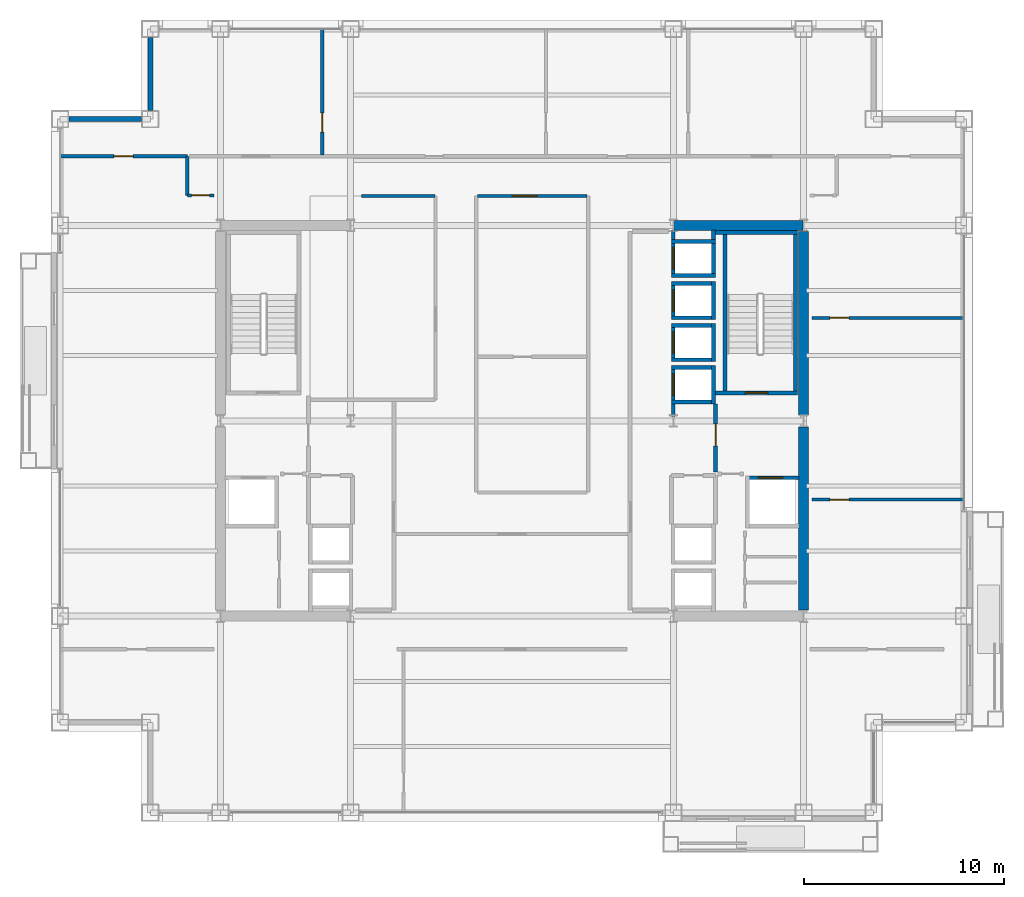
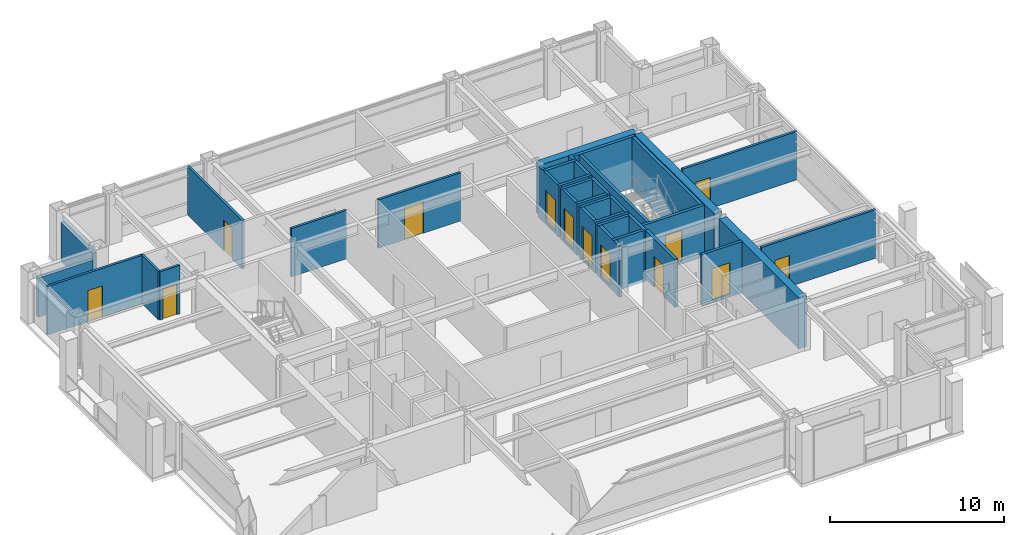
# One storey, part 27 of 31: 35 walls, 13 doors, 13 openings.
"""IFC4 building model written with IfcOpenShell, lengths in metres."""

import ifcopenshell
import ifcopenshell.guid

model = None  # the IFC model being written
_history = None  # IfcOwnerHistory: only IFC2X3 demands one
_inside = {}  # id of a spatial element -> (the spatial element, [elements in it])
_under = {}  # id of a project, library or spatial element -> (it, [spatial elements below it])
_declared = {}  # id of a project -> (the project, [libraries it declares])
_typed = {}  # id of a type object -> (the type object, [elements of that type])
_made_of = {}  # id of a material, layer set ... -> (it, [elements and type objects made of it])


def new_model(schema):
    """Start an empty IFC model of exactly this schema.

    Asked for "IFC4X3", IfcOpenShell would pick the latest addendum, in which some entities
    have other attributes; the version numbers below select the first issue.
    IFC2X3 requires an IfcOwnerHistory on every rooted entity: one is made here for all.
    """
    global model, _history
    if schema == "IFC4X3":
        model = ifcopenshell.file(schema_version=(4, 3, 0, 0))
    else:
        model = ifcopenshell.file(schema=schema)
    _inside.clear()
    _under.clear()
    _declared.clear()
    _typed.clear()
    _made_of.clear()
    _history = None
    if model.schema == "IFC2X3":
        org = make("IfcOrganization", Name="unknown")
        user = make(
            "IfcPersonAndOrganization",
            ThePerson=make("IfcPerson", FamilyName="unknown"),
            TheOrganization=org,
        )
        app = make(
            "IfcApplication",
            ApplicationDeveloper=org,
            Version="unknown",
            ApplicationFullName="unknown",
            ApplicationIdentifier="unknown",
        )
        _history = make(
            "IfcOwnerHistory",
            OwningUser=user,
            OwningApplication=app,
            ChangeAction="ADDED",
            CreationDate=0,
        )
    return model


def make(cls, **values):
    """One entity of the class cls with the attributes given. An attribute that is None is left unset."""
    return model.create_entity(
        cls, **{name: value for name, value in values.items() if value is not None}
    )


def rooted(cls, **values):
    """An entity with a GlobalId (a new one), such as an element, a storey or a relation."""
    return make(cls, GlobalId=ifcopenshell.guid.new(), OwnerHistory=_history, **values)


def si_unit(unit_type, name, prefix=None):
    """IfcSIUnit, for example si_unit("LENGTHUNIT", "METRE", prefix="MILLI")."""
    return make("IfcSIUnit", UnitType=unit_type, Prefix=prefix, Name=name)


def assignment(units):
    """IfcUnitAssignment: the units of a project."""
    return None if units is None else make("IfcUnitAssignment", Units=units)


def point(xyz):
    """IfcCartesianPoint."""
    return None if xyz is None else make("IfcCartesianPoint", Coordinates=xyz)


def direction(xyz):
    """IfcDirection."""
    return None if xyz is None else make("IfcDirection", DirectionRatios=xyz)


def frame(location, z_axis=None, x_axis=None):
    """IfcAxis2Placement3D, a coordinate frame: its origin and axes. An axis left out is left unset."""
    return make(
        "IfcAxis2Placement3D",
        Location=point(location),
        Axis=direction(z_axis),
        RefDirection=direction(x_axis),
    )


def frame_2d(location, x_axis=None):
    """IfcAxis2Placement2D, a coordinate frame in the plane: its origin and x axis."""
    return make(
        "IfcAxis2Placement2D", Location=point(location), RefDirection=direction(x_axis)
    )


def origin():
    """The frame at (0, 0, 0) with its axes left unset."""
    return frame((0.0, 0.0, 0.0))


def place(relative_to, where):
    """IfcLocalPlacement: puts the frame where relative to a parent placement (None: the world)."""
    return make(
        "IfcLocalPlacement", PlacementRelTo=relative_to, RelativePlacement=where
    )


def context(
    kind, dimensions, precision=None, world=None, true_north=None, identifier=None
):
    """IfcGeometricRepresentationContext, for example the 3D "Model" context."""
    return make(
        "IfcGeometricRepresentationContext",
        ContextIdentifier=identifier,
        ContextType=kind,
        CoordinateSpaceDimension=dimensions,
        Precision=precision,
        WorldCoordinateSystem=world,
        TrueNorth=true_north,
    )


def subcontext(parent, identifier, kind, view, scale=None):
    """IfcGeometricRepresentationSubContext, for example "Body" below "Model"."""
    return make(
        "IfcGeometricRepresentationSubContext",
        ContextIdentifier=identifier,
        ContextType=kind,
        ParentContext=parent,
        TargetScale=scale,
        TargetView=view,
    )


def project(units=None, contexts=None):
    """IfcProject with its units and contexts."""
    return rooted(
        "IfcProject",
        Name="project",
        RepresentationContexts=contexts,
        UnitsInContext=assignment(units),
    )


def spatial(cls, under=None, at=None, **own):
    """A site, building, storey or space (cls), placed at a placement, below another one or the project."""
    s = rooted(cls, ObjectPlacement=at, **own)
    if under is not None:
        _under.setdefault(under.id(), (under, []))[1].append(s)
    return s


def profile(cls, at=None, kind="AREA", **sizes):
    """A parametric profile (cls). Its sizes go by their IFC names, for example OverallWidth=200.0."""
    return make(cls, ProfileType=kind, Position=at, **sizes)


def rectangle(**sizes):
    """IfcRectangleProfileDef."""
    return profile("IfcRectangleProfileDef", **sizes)


def extrude(swept, where, along, depth):
    """IfcExtrudedAreaSolid: the profile swept, set in the frame where, extruded along a direction by depth."""
    return make(
        "IfcExtrudedAreaSolid",
        SweptArea=swept,
        Position=where,
        ExtrudedDirection=direction(along),
        Depth=depth,
    )


def shape(context_of_items, identifier, shape_type, items):
    """IfcShapeRepresentation: the items that make up one representation, for example the "Body"."""
    return make(
        "IfcShapeRepresentation",
        ContextOfItems=context_of_items,
        RepresentationIdentifier=identifier,
        RepresentationType=shape_type,
        Items=items,
    )


def material(Name=None, Category=None):
    """IfcMaterial."""
    return make("IfcMaterial", Name=Name, Category=Category)


def layer(
    of_material, thickness, ventilated=None, Name=None, Category=None, Priority=None
):
    """IfcMaterialLayer: one layer of a wall or slab, of a material (None: an air gap)."""
    return make(
        "IfcMaterialLayer",
        Material=of_material,
        LayerThickness=thickness,
        IsVentilated=ventilated,
        Name=Name,
        Category=Category,
        Priority=Priority,
    )


def layer_set(layers, Name=None):
    """IfcMaterialLayerSet."""
    return make("IfcMaterialLayerSet", MaterialLayers=layers, LayerSetName=Name)


def made_of(thing, what):
    """Note that an element or type object is made of a material, layer set ...; save() writes the relation."""
    if what is not None:
        _made_of.setdefault(what.id(), (what, []))[1].append(thing)
    return thing


def type_object(cls, material=None, **own):
    """A type object (cls), such as IfcWallType, which elements share."""
    return made_of(rooted(cls, **own), material)


def element(
    cls,
    number,
    at=None,
    inside=None,
    cuts=None,
    type_object=None,
    material=None,
    context=None,
    identifier="Body",
    shape_type=None,
    held_by="IfcProductDefinitionShape",
    body=None,
    shapes=None,
    **own,
):
    """One element of the class cls, such as IfcWall. Its Tag is "e" and its number.

    at: its placement. inside: the storey or other place that contains it. cuts: it is an
    opening in that element (IfcRelVoidsElement). A single representation is given by context,
    identifier, shape_type and body (its items); several are given by shapes. held_by: the class
    of the entity that holds the representations. save() writes the other relations.
    """
    e = rooted(cls, Tag="e%d" % number, ObjectPlacement=at, **own)
    if body is not None:
        shapes = [shape(context, identifier, shape_type, body)]
    if shapes is not None:
        e.Representation = make(held_by, Representations=shapes)
    if inside is not None:
        _inside.setdefault(inside.id(), (inside, []))[1].append(e)
    if cuts is not None:
        rooted(
            "IfcRelVoidsElement", RelatingBuildingElement=cuts, RelatedOpeningElement=e
        )
    if type_object is not None:
        _typed.setdefault(type_object.id(), (type_object, []))[1].append(e)
    return made_of(e, material)


def fill(opening, filler):
    """IfcRelFillsElement: the door or window that sits in an opening."""
    return rooted(
        "IfcRelFillsElement",
        RelatingOpeningElement=opening,
        RelatedBuildingElement=filler,
    )


def aggregate(whole, parts):
    """IfcRelAggregates: a whole, such as a stair, and the parts it consists of."""
    return rooted("IfcRelAggregates", RelatingObject=whole, RelatedObjects=parts)


def save(model, path):
    """Write the relations noted so far, then the file.

    IfcRelAggregates (storeys below a building ...), IfcRelContainedInSpatialStructure (elements
    in a storey), IfcRelDefinesByType, IfcRelAssociatesMaterial and IfcRelDeclares: one each for
    every whole, place, type object, material and project.
    """
    for whole, parts in _under.values():
        aggregate(whole, parts)
    for where, things in _inside.values():
        rooted(
            "IfcRelContainedInSpatialStructure",
            RelatedElements=things,
            RelatingStructure=where,
        )
    for kind, things in _typed.values():
        rooted("IfcRelDefinesByType", RelatedObjects=things, RelatingType=kind)
    for what, things in _made_of.values():
        rooted("IfcRelAssociatesMaterial", RelatedObjects=things, RelatingMaterial=what)
    for by, libraries in _declared.values():
        rooted("IfcRelDeclares", RelatingContext=by, RelatedDefinitions=libraries)
    model.write(path)


model = new_model("IFC4")

# Units and contexts
model_context = context("Model", 3, precision=1e-05, world=origin(), true_north=direction((0.0, 1.0)))
body_context = subcontext(model_context, "Body", "Model", "MODEL_VIEW")
ifc_project = project(units=[si_unit("LENGTHUNIT", "METRE"), si_unit("AREAUNIT", "SQUARE_METRE"), si_unit("VOLUMEUNIT", "CUBIC_METRE"), si_unit("PLANEANGLEUNIT", "RADIAN"), si_unit("MASSUNIT", "GRAM", prefix="KILO")], contexts=[model_context])

# Site, building, storey
site_placement = place(None, origin())
site = spatial("IfcSite", under=ifc_project, at=site_placement, CompositionType="ELEMENT")
building_placement = place(site_placement, origin())
building = spatial("IfcBuilding", under=site, at=building_placement, Name="Brelmoor Portico Tower", CompositionType="ELEMENT")
storey_placement = place(building_placement, frame((0.0, 0.0, 106.199951171875)))
storey = spatial("IfcBuildingStorey", under=building, at=storey_placement, Name="L27", CompositionType="ELEMENT", Elevation=106.199951171875)

# Walls
ifc_material_1 = material(Name="Concrete C60", Category="concrete")
ifc_layer_1 = layer(ifc_material_1, 0.5)
ifc_layer_set_1 = layer_set([ifc_layer_1], Name="Concrete C60")
wall_type_1 = type_object("IfcWallType", Name="WL-CORE-500", PredefinedType="SHEAR", material=ifc_layer_set_1)
wall_1_placement = place(storey_placement, frame((8.070068359375, 9.75, -0.199951171875), z_axis=(0.0, 0.0, 1.0), x_axis=(1.0, 0.0, 0.0)))
element("IfcWall", 1, at=wall_1_placement, inside=storey, type_object=wall_type_1, Name="L27 EC North Shear Wall", PredefinedType="SHEAR", context=body_context, shape_type="SweptSolid", body=[
    extrude(rectangle(XDim=6.4599609375, YDim=0.5, at=frame_2d((3.22998046875, 0.0))), origin(), (0.0, 0.0, 1.0), 3.60009765625),
])
for number, where, z_axis, x_axis, name in (
    (2, (14.550048828125, -9.449951171875, -0.199951171875), (0.0, 0.0, 1.0), (0.0, 1.0, 0.0), "L27 EC Outer South Shear Wall"),
    (3, (14.550048828125, 0.300048828125, -0.199951171875), (0.0, 0.0, 1.0), (0.0, 1.0, 0.0), "L27 EC Outer North Shear Wall"),
):
    element("IfcWall", number, at=place(storey_placement, frame(where, z_axis=z_axis, x_axis=x_axis)), inside=storey, type_object=wall_type_1, Name=name, PredefinedType="SHEAR", context=body_context, shape_type="SweptSolid", body=[
        extrude(rectangle(XDim=9.14990234375, YDim=0.5, at=frame_2d((4.574951171875, 0.0))), origin(), (0.0, 0.0, 1.0), 3.60009765625),
    ])
ifc_material_2 = material(Name="Precast Concrete C40 Insulated Facade Wall", Category="concrete")
ifc_layer_2 = layer(ifc_material_2, 0.25)
ifc_layer_set_2 = layer_set([ifc_layer_2], Name="Precast Concrete C40 Insulated Facade Wall")
wall_type_2 = type_object("IfcWallType", Name="WL-EXT-250", PredefinedType="STANDARD", material=ifc_layer_set_2)
for number, where, z_axis, x_axis, name in (
    (4, (-22.114990234375, 15.050048828125, 0.0), (0.0, 0.0, 1.0), (1.0, 0.0, 0.0), "L27 Corner Notch Facade Wall NNWH1"),
    (5, (-18.050048828125, 15.485107421875, 0.0), (0.0, 0.0, 1.0), (0.0, 1.0, 0.0), "L27 Corner Notch Facade Wall NNWV1"),
):
    element("IfcWall", number, at=place(storey_placement, frame(where, z_axis=z_axis, x_axis=x_axis)), inside=storey, type_object=wall_type_2, Name=name, PredefinedType="STANDARD", context=body_context, shape_type="SweptSolid", body=[
        extrude(rectangle(XDim=3.6298828125, YDim=0.25, at=frame_2d((1.81494140625, 0.0))), origin(), (0.0, 0.0, 1.0), 2.75),
    ])
ifc_material_3 = material(Name="Twin-Frame Acoustic Partition", Category="gypsum")
ifc_layer_3 = layer(ifc_material_3, 0.159912109375)
ifc_layer_set_3 = layer_set([ifc_layer_3], Name="Twin-Frame Acoustic Partition")
wall_type_3 = type_object("IfcWallType", Name="WL-PART-160", PredefinedType="PARTITIONING", material=ifc_layer_set_3)
wall_2_placement = place(storey_placement, frame((-7.5, 11.219970703125, 0.0), z_axis=(0.0, 0.0, 1.0), x_axis=(1.0, 0.0, 0.0)))
element("IfcWall", 6, at=wall_2_placement, inside=storey, type_object=wall_type_3, Name="L27 Reclaimed West Suite North Wall", PredefinedType="PARTITIONING", context=body_context, shape_type="SweptSolid", body=[
    extrude(rectangle(XDim=3.659912109375, YDim=0.159912109375, at=frame_2d((1.830078125, 0.0))), origin(), (0.0, 0.0, 1.0), 3.400146484375),
])

# Wall, opening, door
wall_3_placement = place(storey_placement, frame((-1.72998046875, 11.219970703125, 0.0), z_axis=(0.0, 0.0, 1.0), x_axis=(1.0, 0.0, 0.0)))
wall_3 = element("IfcWall", 7, at=wall_3_placement, inside=storey, type_object=wall_type_3, Name="L27 Central Meeting North Wall", PredefinedType="PARTITIONING", context=body_context, shape_type="SweptSolid", body=[
    extrude(rectangle(XDim=5.47998046875, YDim=0.159912109375, at=frame_2d((2.739990234375, 0.0))), origin(), (0.0, 0.0, 1.0), 3.400146484375),
])
opening_1_placement = place(wall_3_placement, frame((1.75, 0.0, 0.0)))
opening_1 = element("IfcOpeningElement", 8, at=opening_1_placement, cuts=wall_3, Name="Opening D-SU1", PredefinedType="OPENING", context=body_context, shape_type="SweptSolid", body=[
    extrude(rectangle(XDim=1.239990234375, YDim=2.239990234375, at=frame_2d((0.6201171875, 1.1201171875))), frame((0.0, 0.08984375, 0.0), z_axis=(0.0, -1.0, 0.0), x_axis=(1.0, 0.0, 0.0)), (0.0, 0.0, 1.0), 0.179931640625),
])
ifc_material_4 = material(Name="Glazed Timber Executive Suite Door", Category="wood")
door_type_1 = type_object("IfcDoorType", Name="DR-SUITE-1200", OperationType="NOTDEFINED", PredefinedType="DOOR", material=ifc_material_4)
door_1_placement = place(opening_1_placement, origin())
door_1 = element("IfcDoor", 9, at=door_1_placement, inside=storey, type_object=door_type_1, Name="D-1178 L27 Client Meeting Room Door", OperationType="SINGLE_SWING_LEFT", OverallHeight=2.239990234375, OverallWidth=1.239990234375, PredefinedType="DOOR", context=body_context, shape_type="SweptSolid", body=[
    extrude(rectangle(XDim=1.239990234375, YDim=2.239990234375, at=frame_2d((0.6201171875, 1.1201171875))), frame((0.0, 0.02490234375, 0.0), z_axis=(0.0, -1.0, 0.0), x_axis=(1.0, 0.0, 0.0)), (0.0, 0.0, 1.0), 0.050048828125),
])
fill(opening_1, door_1)

wall_4_placement = place(storey_placement, frame((-9.469482421875, 13.260009765625, 0.0), z_axis=(0.0, 0.0, 1.0), x_axis=(0.0, 1.0, 0.0)))
wall_4 = element("IfcWall", 10, at=wall_4_placement, inside=storey, type_object=wall_type_3, Name="L27 North Suite Partition 1", PredefinedType="PARTITIONING", context=body_context, shape_type="SweptSolid", body=[
    extrude(rectangle(XDim=6.300048828125, YDim=0.159912109375, at=frame_2d((3.14990234375, 0.0))), origin(), (0.0, 0.0, 1.0), 3.400146484375),
])
opening_2_placement = place(wall_4_placement, frame((1.14990234375, 0.0, 0.0)))
opening_2 = element("IfcOpeningElement", 11, at=opening_2_placement, cuts=wall_4, Name="Opening D-IN2", PredefinedType="OPENING", context=body_context, shape_type="SweptSolid", body=[
    extrude(rectangle(XDim=0.9599609375, YDim=2.179931640625, at=frame_2d((0.47998046875, 1.08984375))), frame((0.0, 0.08984375, 0.0), z_axis=(0.0, -1.0, 0.0), x_axis=(1.0, 0.0, 0.0)), (0.0, 0.0, 1.0), 0.179931640625),
])
ifc_material_5 = material(Name="Lacquered Timber Suite Door", Category="wood")
door_type_2 = type_object("IfcDoorType", Name="DR-INT-950", OperationType="NOTDEFINED", PredefinedType="DOOR", material=ifc_material_5)
door_2_placement = place(opening_2_placement, origin())
door_2 = element("IfcDoor", 12, at=door_2_placement, inside=storey, type_object=door_type_2, Name="D-1195 L27 North Suite Connecting Door 1", OperationType="SINGLE_SWING_RIGHT", OverallHeight=2.179931640625, OverallWidth=0.9599609375, PredefinedType="DOOR", context=body_context, shape_type="SweptSolid", body=[
    extrude(rectangle(XDim=0.9599609375, YDim=2.179931640625, at=frame_2d((0.47998046875, 1.08984375))), frame((0.0, 0.02490234375, 0.0), z_axis=(0.0, -1.0, 0.0), x_axis=(1.0, 0.0, 0.0)), (0.0, 0.0, 1.0), 0.050048828125),
])
fill(opening_2, door_2)

wall_5_placement = place(storey_placement, frame((-22.56005859375, 13.199951171875, 0.0), z_axis=(0.0, 0.0, 1.0), x_axis=(1.0, 0.0, 0.0)))
wall_5 = element("IfcWall", 13, at=wall_5_placement, inside=storey, type_object=wall_type_3, Name="L27 North Wing Closure WL", PredefinedType="PARTITIONING", context=body_context, shape_type="SweptSolid", body=[
    extrude(rectangle(XDim=6.360107421875, YDim=0.159912109375, at=frame_2d((3.18017578125, 0.0))), origin(), (0.0, 0.0, 1.0), 3.400146484375),
])
opening_3_placement = place(wall_5_placement, frame((2.699951171875, 0.0, 0.0)))
opening_3 = element("IfcOpeningElement", 14, at=opening_3_placement, cuts=wall_5, Name="Opening D-IN2", PredefinedType="OPENING", context=body_context, shape_type="SweptSolid", body=[
    extrude(rectangle(XDim=0.9599609375, YDim=2.179931640625, at=frame_2d((0.47998046875, 1.08984375))), frame((0.0, 0.08984375, 0.0), z_axis=(0.0, -1.0, 0.0), x_axis=(1.0, 0.0, 0.0)), (0.0, 0.0, 1.0), 0.179931640625),
])
door_3_placement = place(opening_3_placement, origin())
door_3 = element("IfcDoor", 15, at=door_3_placement, inside=storey, type_object=door_type_2, Name="D-1199 L27 WL Wing North Suite Door", OperationType="SINGLE_SWING_RIGHT", OverallHeight=2.179931640625, OverallWidth=0.9599609375, PredefinedType="DOOR", context=body_context, shape_type="SweptSolid", body=[
    extrude(rectangle(XDim=0.9599609375, YDim=2.179931640625, at=frame_2d((0.47998046875, 1.08984375))), frame((0.0, 0.02490234375, 0.0), z_axis=(0.0, -1.0, 0.0), x_axis=(1.0, 0.0, 0.0)), (0.0, 0.0, 1.0), 0.050048828125),
])
fill(opening_3, door_3)

wall_6_placement = place(storey_placement, frame((-16.199951171875, 11.25, 0.0), z_axis=(0.0, 0.0, 1.0), x_axis=(1.0, 0.0, 0.0)))
wall_6 = element("IfcWall", 16, at=wall_6_placement, inside=storey, type_object=wall_type_3, Name="L27 W Wing North Entry Wall", PredefinedType="PARTITIONING", context=body_context, shape_type="SweptSolid", body=[
    extrude(rectangle(XDim=1.320068359375, YDim=0.159912109375, at=frame_2d((0.66015625, 0.0))), origin(), (0.0, 0.0, 1.0), 3.400146484375),
])
opening_4_placement = place(wall_6_placement, frame((0.2099609375, 0.0, 0.0)))
opening_4 = element("IfcOpeningElement", 17, at=opening_4_placement, cuts=wall_6, Name="Opening D-IN1", PredefinedType="OPENING", context=body_context, shape_type="SweptSolid", body=[
    extrude(rectangle(XDim=0.89990234375, YDim=2.14990234375, at=frame_2d((0.449951171875, 1.074951171875))), frame((0.0, 0.08984375, 0.0), z_axis=(0.0, -1.0, 0.0), x_axis=(1.0, 0.0, 0.0)), (0.0, 0.0, 1.0), 0.179931640625),
])
door_type_3 = type_object("IfcDoorType", Name="DR-INT-900", OperationType="NOTDEFINED", PredefinedType="DOOR", material=ifc_material_5)
door_4_placement = place(opening_4_placement, origin())
door_4 = element("IfcDoor", 18, at=door_4_placement, inside=storey, type_object=door_type_3, Name="D-1213 L27 W Wing Entry Door", OperationType="SINGLE_SWING_RIGHT", OverallHeight=2.14990234375, OverallWidth=0.89990234375, PredefinedType="DOOR", context=body_context, shape_type="SweptSolid", body=[
    extrude(rectangle(XDim=0.89990234375, YDim=2.14990234375, at=frame_2d((0.449951171875, 1.074951171875))), frame((0.0, 0.02490234375, 0.0), z_axis=(0.0, -1.0, 0.0), x_axis=(1.0, 0.0, 0.0)), (0.0, 0.0, 1.0), 0.050048828125),
])
fill(opening_4, door_4)

# Wall
wall_7_placement = place(storey_placement, frame((-16.199951171875, 11.25, 0.0), z_axis=(0.0, 0.0, 1.0), x_axis=(0.0, 1.0, 0.0)))
element("IfcWall", 19, at=wall_7_placement, inside=storey, type_object=wall_type_3, Name="L27 W Corridor End Closure", PredefinedType="PARTITIONING", context=body_context, shape_type="SweptSolid", body=[
    extrude(rectangle(XDim=1.949951171875, YDim=0.159912109375, at=frame_2d((0.97509765625, 0.0))), origin(), (0.0, 0.0, 1.0), 3.400146484375),
])

# Wall, opening, door
wall_8_placement = place(storey_placement, frame((14.9599609375, -3.929931640625, 0.0), z_axis=(0.0, 0.0, 1.0), x_axis=(1.0, 0.0, 0.0)))
wall_8 = element("IfcWall", 20, at=wall_8_placement, inside=storey, type_object=wall_type_3, Name="L27 E Wing Partition 1", PredefinedType="PARTITIONING", context=body_context, shape_type="SweptSolid", body=[
    extrude(rectangle(XDim=7.60009765625, YDim=0.159912109375, at=frame_2d((3.800048828125, 0.0))), origin(), (0.0, 0.0, 1.0), 3.400146484375),
])
opening_5_placement = place(wall_8_placement, frame((0.89990234375, 0.0, 0.0)))
opening_5 = element("IfcOpeningElement", 21, at=opening_5_placement, cuts=wall_8, Name="Opening D-IN2", PredefinedType="OPENING", context=body_context, shape_type="SweptSolid", body=[
    extrude(rectangle(XDim=0.9599609375, YDim=2.179931640625, at=frame_2d((0.47998046875, 1.08984375))), frame((0.0, 0.08984375, 0.0), z_axis=(0.0, -1.0, 0.0), x_axis=(1.0, 0.0, 0.0)), (0.0, 0.0, 1.0), 0.179931640625),
])
door_5_placement = place(opening_5_placement, origin())
door_5 = element("IfcDoor", 22, at=door_5_placement, inside=storey, type_object=door_type_2, Name="D-1210 L27 E Wing Suite Connecting Door 1", OperationType="SINGLE_SWING_RIGHT", OverallHeight=2.179931640625, OverallWidth=0.9599609375, PredefinedType="DOOR", context=body_context, shape_type="SweptSolid", body=[
    extrude(rectangle(XDim=0.9599609375, YDim=2.179931640625, at=frame_2d((0.47998046875, 1.08984375))), frame((0.0, 0.02490234375, 0.0), z_axis=(0.0, -1.0, 0.0), x_axis=(1.0, 0.0, 0.0)), (0.0, 0.0, 1.0), 0.050048828125),
])
fill(opening_5, door_5)

wall_9_placement = place(storey_placement, frame((14.9599609375, 5.13427734375, 0.0), z_axis=(0.0, 0.0, 1.0), x_axis=(1.0, 0.0, 0.0)))
wall_9 = element("IfcWall", 23, at=wall_9_placement, inside=storey, type_object=wall_type_3, Name="L27 E Wing Partition 2", PredefinedType="PARTITIONING", context=body_context, shape_type="SweptSolid", body=[
    extrude(rectangle(XDim=7.60009765625, YDim=0.159912109375, at=frame_2d((3.800048828125, 0.0))), origin(), (0.0, 0.0, 1.0), 3.400146484375),
])
opening_6_placement = place(wall_9_placement, frame((0.89990234375, 0.0, 0.0)))
opening_6 = element("IfcOpeningElement", 24, at=opening_6_placement, cuts=wall_9, Name="Opening D-IN2", PredefinedType="OPENING", context=body_context, shape_type="SweptSolid", body=[
    extrude(rectangle(XDim=0.9599609375, YDim=2.179931640625, at=frame_2d((0.47998046875, 1.08984375))), frame((0.0, 0.08984375, 0.0), z_axis=(0.0, -1.0, 0.0), x_axis=(1.0, 0.0, 0.0)), (0.0, 0.0, 1.0), 0.179931640625),
])
door_6_placement = place(opening_6_placement, origin())
door_6 = element("IfcDoor", 25, at=door_6_placement, inside=storey, type_object=door_type_2, Name="D-1211 L27 E Wing Suite Connecting Door 2", OperationType="SINGLE_SWING_LEFT", OverallHeight=2.179931640625, OverallWidth=0.9599609375, PredefinedType="DOOR", context=body_context, shape_type="SweptSolid", body=[
    extrude(rectangle(XDim=0.9599609375, YDim=2.179931640625, at=frame_2d((0.47998046875, 1.08984375))), frame((0.0, 0.02490234375, 0.0), z_axis=(0.0, -1.0, 0.0), x_axis=(1.0, 0.0, 0.0)), (0.0, 0.0, 1.0), 0.050048828125),
])
fill(opening_6, door_6)

ifc_material_6 = material(Name="Double-Stud Gypsum Fire Partition", Category="gypsum")
ifc_layer_4 = layer(ifc_material_6, 0.199951171875)
ifc_layer_set_4 = layer_set([ifc_layer_4], Name="Double-Stud Gypsum Fire Partition")
wall_type_4 = type_object("IfcWallType", Name="WL-PART-200", PredefinedType="PARTITIONING", material=ifc_layer_set_4)
wall_10_placement = place(storey_placement, frame((10.159912109375, -2.550048828125, 0.0), z_axis=(0.0, 0.0, 1.0), x_axis=(0.0, 1.0, 0.0)))
wall_10 = element("IfcWall", 26, at=wall_10_placement, inside=storey, type_object=wall_type_4, Name="L27 E Firefighting Lobby Wall", PredefinedType="PARTITIONING", context=body_context, shape_type="SweptSolid", body=[
    extrude(rectangle(XDim=3.400146484375, YDim=0.199951171875, at=frame_2d((1.7001953125, 0.0))), origin(), (0.0, 0.0, 1.0), 3.400146484375),
])
opening_7_placement = place(wall_10_placement, frame((1.300048828125, 0.0, 0.0)))
opening_7 = element("IfcOpeningElement", 27, at=opening_7_placement, cuts=wall_10, Name="Opening D-FR1", PredefinedType="OPENING", context=body_context, shape_type="SweptSolid", body=[
    extrude(rectangle(XDim=1.10009765625, YDim=2.14990234375, at=frame_2d((0.550048828125, 1.074951171875))), frame((0.0, 0.10986328125, 0.0), z_axis=(0.0, -1.0, 0.0), x_axis=(1.0, 0.0, 0.0)), (0.0, 0.0, 1.0), 0.219970703125),
])
ifc_material_7 = material(Name="Painted Galvanised Steel Fire Door", Category="steel")
door_type_4 = type_object("IfcDoorType", Name="DR-FIRE-1100", OperationType="NOTDEFINED", PredefinedType="DOOR", material=ifc_material_7)
door_7_placement = place(opening_7_placement, origin())
door_7 = element("IfcDoor", 28, at=door_7_placement, inside=storey, type_object=door_type_4, Name="D-1187 L27 E Firefighting Lobby Door", OperationType="SINGLE_SWING_LEFT", OverallHeight=2.14990234375, OverallWidth=1.10009765625, PredefinedType="DOOR", context=body_context, shape_type="SweptSolid", body=[
    extrude(rectangle(XDim=1.10009765625, YDim=2.14990234375, at=frame_2d((0.550048828125, 1.074951171875))), frame((0.0, 0.02490234375, 0.0), z_axis=(0.0, -1.0, 0.0), x_axis=(1.0, 0.0, 0.0)), (0.0, 0.0, 1.0), 0.050048828125),
])
fill(opening_7, door_7)

ifc_material_8 = material(Name="Precast Concrete C40", Category="concrete")
ifc_layer_5 = layer(ifc_material_8, 0.18994140625)
ifc_layer_set_5 = layer_set([ifc_layer_5], Name="Precast Concrete C40")
wall_type_5 = type_object("IfcWallType", Name="WL-SHAFT-180", PredefinedType="SOLIDWALL", material=ifc_layer_set_5)
wall_11_placement = place(storey_placement, frame((8.044921875, 0.2099609375, -0.199951171875), z_axis=(0.0, 0.0, 1.0), x_axis=(0.0, 1.0, 0.0)))
wall_11 = element("IfcWall", 29, at=wall_11_placement, inside=storey, type_object=wall_type_5, Name="L27 Lift PM1 Hoistway Front Wall", PredefinedType="SOLIDWALL", context=body_context, shape_type="SweptSolid", body=[
    extrude(rectangle(XDim=2.5400390625, YDim=0.18994140625, at=frame_2d((1.27001953125, 0.0))), origin(), (0.0, 0.0, 1.0), 3.60009765625),
])
opening_8_placement = place(wall_11_placement, frame((1.0400390625, 0.0, 0.199951171875)))
opening_8 = element("IfcOpeningElement", 30, at=opening_8_placement, cuts=wall_11, Name="Opening LD-01", PredefinedType="OPENING", context=body_context, shape_type="SweptSolid", body=[
    extrude(rectangle(XDim=1.10009765625, YDim=2.199951171875, at=frame_2d((0.550048828125, 1.10009765625))), frame((0.0, 0.10498046875, 0.0), z_axis=(0.0, -1.0, 0.0), x_axis=(1.0, 0.0, 0.0)), (0.0, 0.0, 1.0), 0.2099609375),
])
ifc_material_9 = material(Name="Brushed Stainless Steel Sliding Lift Door", Category="steel")
door_type_5 = type_object("IfcDoorType", Name="DR-LIFT-1100", OperationType="NOTDEFINED", PredefinedType="DOOR", material=ifc_material_9)
door_8_placement = place(opening_8_placement, origin())
door_8 = element("IfcDoor", 31, at=door_8_placement, inside=storey, type_object=door_type_5, Name="D-1216 L27 Lift PM1 Sliding Landing Door", OperationType="SLIDING_TO_LEFT", OverallHeight=2.199951171875, OverallWidth=1.10009765625, PredefinedType="DOOR", context=body_context, shape_type="SweptSolid", body=[
    extrude(rectangle(XDim=1.10009765625, YDim=2.199951171875, at=frame_2d((0.550048828125, 1.10009765625))), frame((0.0, 0.02490234375, 0.0), z_axis=(0.0, -1.0, 0.0), x_axis=(1.0, 0.0, 0.0)), (0.0, 0.0, 1.0), 0.050048828125),
])
fill(opening_8, door_8)

# Walls
wall_12_placement = place(storey_placement, frame((10.054931640625, 0.85009765625, -0.199951171875), z_axis=(0.0, 0.0, 1.0), x_axis=(0.0, 1.0, 0.0)))
element("IfcWall", 32, at=wall_12_placement, inside=storey, type_object=wall_type_5, Name="L27 Lift PM1 Hoistway Back Wall", PredefinedType="SOLIDWALL", context=body_context, shape_type="SweptSolid", body=[
    extrude(rectangle(XDim=1.89990234375, YDim=0.18994140625, at=frame_2d((0.949951171875, 0.0))), origin(), (0.0, 0.0, 1.0), 3.60009765625),
])
for number, where, z_axis, x_axis, name in (
    (33, (7.949951171875, 2.655029296875, -0.199951171875), (0.0, 0.0, 1.0), (1.0, 0.0, 0.0), "L27 Lift PM1 Hoistway North Wall"),
    (34, (7.949951171875, 0.945068359375, -0.199951171875), (0.0, 0.0, 1.0), (1.0, 0.0, 0.0), "L27 Lift PM1 Hoistway South Wall"),
):
    element("IfcWall", number, at=place(storey_placement, frame(where, z_axis=z_axis, x_axis=x_axis)), inside=storey, type_object=wall_type_5, Name=name, PredefinedType="SOLIDWALL", context=body_context, shape_type="SweptSolid", body=[
        extrude(rectangle(XDim=2.199951171875, YDim=0.18994140625, at=frame_2d((1.10009765625, 0.0))), origin(), (0.0, 0.0, 1.0), 3.60009765625),
    ])

# Wall, opening, door
wall_13_placement = place(storey_placement, frame((8.044921875, 2.949951171875, -0.199951171875), z_axis=(0.0, 0.0, 1.0), x_axis=(0.0, 1.0, 0.0)))
wall_13 = element("IfcWall", 35, at=wall_13_placement, inside=storey, type_object=wall_type_5, Name="L27 Lift PM2 Hoistway Front Wall", PredefinedType="SOLIDWALL", context=body_context, shape_type="SweptSolid", body=[
    extrude(rectangle(XDim=1.900146484375, YDim=0.18994140625, at=frame_2d((0.9501953125, 0.0))), origin(), (0.0, 0.0, 1.0), 3.60009765625),
])
opening_9_placement = place(wall_13_placement, frame((0.39990234375, 0.0, 0.199951171875)))
opening_9 = element("IfcOpeningElement", 36, at=opening_9_placement, cuts=wall_13, Name="Opening LD-01", PredefinedType="OPENING", context=body_context, shape_type="SweptSolid", body=[
    extrude(rectangle(XDim=1.10009765625, YDim=2.199951171875, at=frame_2d((0.550048828125, 1.10009765625))), frame((0.0, 0.10498046875, 0.0), z_axis=(0.0, -1.0, 0.0), x_axis=(1.0, 0.0, 0.0)), (0.0, 0.0, 1.0), 0.2099609375),
])
door_9_placement = place(opening_9_placement, origin())
door_9 = element("IfcDoor", 37, at=door_9_placement, inside=storey, type_object=door_type_5, Name="D-1217 L27 Lift PM2 Sliding Landing Door", OperationType="SLIDING_TO_LEFT", OverallHeight=2.199951171875, OverallWidth=1.10009765625, PredefinedType="DOOR", context=body_context, shape_type="SweptSolid", body=[
    extrude(rectangle(XDim=1.10009765625, YDim=2.199951171875, at=frame_2d((0.550048828125, 1.10009765625))), frame((0.0, 0.02490234375, 0.0), z_axis=(0.0, -1.0, 0.0), x_axis=(1.0, 0.0, 0.0)), (0.0, 0.0, 1.0), 0.050048828125),
])
fill(opening_9, door_9)

# Walls
wall_14_placement = place(storey_placement, frame((10.054931640625, 2.949951171875, -0.199951171875), z_axis=(0.0, 0.0, 1.0), x_axis=(0.0, 1.0, 0.0)))
element("IfcWall", 38, at=wall_14_placement, inside=storey, type_object=wall_type_5, Name="L27 Lift PM2 Hoistway Back Wall", PredefinedType="SOLIDWALL", context=body_context, shape_type="SweptSolid", body=[
    extrude(rectangle(XDim=1.900146484375, YDim=0.18994140625, at=frame_2d((0.9501953125, 0.0))), origin(), (0.0, 0.0, 1.0), 3.60009765625),
])
for number, where, z_axis, x_axis, name in (
    (39, (7.949951171875, 4.7548828125, -0.199951171875), (0.0, 0.0, 1.0), (1.0, 0.0, 0.0), "L27 Lift PM2 Hoistway North Wall"),
    (40, (7.949951171875, 3.044921875, -0.199951171875), (0.0, 0.0, 1.0), (1.0, 0.0, 0.0), "L27 Lift PM2 Hoistway South Wall"),
):
    element("IfcWall", number, at=place(storey_placement, frame(where, z_axis=z_axis, x_axis=x_axis)), inside=storey, type_object=wall_type_5, Name=name, PredefinedType="SOLIDWALL", context=body_context, shape_type="SweptSolid", body=[
        extrude(rectangle(XDim=2.199951171875, YDim=0.18994140625, at=frame_2d((1.10009765625, 0.0))), origin(), (0.0, 0.0, 1.0), 3.60009765625),
    ])

# Wall, opening, door
wall_15_placement = place(storey_placement, frame((8.044921875, 5.050048828125, -0.199951171875), z_axis=(0.0, 0.0, 1.0), x_axis=(0.0, 1.0, 0.0)))
wall_15 = element("IfcWall", 41, at=wall_15_placement, inside=storey, type_object=wall_type_5, Name="L27 Lift PM3 Hoistway Front Wall", PredefinedType="SOLIDWALL", context=body_context, shape_type="SweptSolid", body=[
    extrude(rectangle(XDim=1.89990234375, YDim=0.18994140625, at=frame_2d((0.949951171875, 0.0))), origin(), (0.0, 0.0, 1.0), 3.60009765625),
])
opening_10_placement = place(wall_15_placement, frame((0.39990234375, 0.0, 0.199951171875)))
opening_10 = element("IfcOpeningElement", 42, at=opening_10_placement, cuts=wall_15, Name="Opening LD-01", PredefinedType="OPENING", context=body_context, shape_type="SweptSolid", body=[
    extrude(rectangle(XDim=1.10009765625, YDim=2.199951171875, at=frame_2d((0.550048828125, 1.10009765625))), frame((0.0, 0.10498046875, 0.0), z_axis=(0.0, -1.0, 0.0), x_axis=(1.0, 0.0, 0.0)), (0.0, 0.0, 1.0), 0.2099609375),
])
door_10_placement = place(opening_10_placement, origin())
door_10 = element("IfcDoor", 43, at=door_10_placement, inside=storey, type_object=door_type_5, Name="D-1218 L27 Lift PM3 Sliding Landing Door", OperationType="SLIDING_TO_LEFT", OverallHeight=2.199951171875, OverallWidth=1.10009765625, PredefinedType="DOOR", context=body_context, shape_type="SweptSolid", body=[
    extrude(rectangle(XDim=1.10009765625, YDim=2.199951171875, at=frame_2d((0.550048828125, 1.10009765625))), frame((0.0, 0.02490234375, 0.0), z_axis=(0.0, -1.0, 0.0), x_axis=(1.0, 0.0, 0.0)), (0.0, 0.0, 1.0), 0.050048828125),
])
fill(opening_10, door_10)

# Walls
wall_16_placement = place(storey_placement, frame((10.054931640625, 5.050048828125, -0.199951171875), z_axis=(0.0, 0.0, 1.0), x_axis=(0.0, 1.0, 0.0)))
element("IfcWall", 44, at=wall_16_placement, inside=storey, type_object=wall_type_5, Name="L27 Lift PM3 Hoistway Back Wall", PredefinedType="SOLIDWALL", context=body_context, shape_type="SweptSolid", body=[
    extrude(rectangle(XDim=1.89990234375, YDim=0.18994140625, at=frame_2d((0.949951171875, 0.0))), origin(), (0.0, 0.0, 1.0), 3.60009765625),
])
for number, where, z_axis, x_axis, name in (
    (45, (7.949951171875, 6.85498046875, -0.199951171875), (0.0, 0.0, 1.0), (1.0, 0.0, 0.0), "L27 Lift PM3 Hoistway North Wall"),
    (46, (7.949951171875, 5.14501953125, -0.199951171875), (0.0, 0.0, 1.0), (1.0, 0.0, 0.0), "L27 Lift PM3 Hoistway South Wall"),
):
    element("IfcWall", number, at=place(storey_placement, frame(where, z_axis=z_axis, x_axis=x_axis)), inside=storey, type_object=wall_type_5, Name=name, PredefinedType="SOLIDWALL", context=body_context, shape_type="SweptSolid", body=[
        extrude(rectangle(XDim=2.199951171875, YDim=0.18994140625, at=frame_2d((1.10009765625, 0.0))), origin(), (0.0, 0.0, 1.0), 3.60009765625),
    ])

# Wall, opening, door
wall_17_placement = place(storey_placement, frame((8.044921875, 7.14990234375, -0.199951171875), z_axis=(0.0, 0.0, 1.0), x_axis=(0.0, 1.0, 0.0)))
wall_17 = element("IfcWall", 47, at=wall_17_placement, inside=storey, type_object=wall_type_5, Name="L27 Lift PM4 Hoistway Front Wall", PredefinedType="SOLIDWALL", context=body_context, shape_type="SweptSolid", body=[
    extrude(rectangle(XDim=2.3701171875, YDim=0.18994140625, at=frame_2d((1.18505859375, 0.0))), origin(), (0.0, 0.0, 1.0), 3.60009765625),
])
opening_11_placement = place(wall_17_placement, frame((0.39990234375, 0.0, 0.199951171875)))
opening_11 = element("IfcOpeningElement", 48, at=opening_11_placement, cuts=wall_17, Name="Opening LD-01", PredefinedType="OPENING", context=body_context, shape_type="SweptSolid", body=[
    extrude(rectangle(XDim=1.10009765625, YDim=2.199951171875, at=frame_2d((0.550048828125, 1.10009765625))), frame((0.0, 0.10498046875, 0.0), z_axis=(0.0, -1.0, 0.0), x_axis=(1.0, 0.0, 0.0)), (0.0, 0.0, 1.0), 0.2099609375),
])
door_11_placement = place(opening_11_placement, origin())
door_11 = element("IfcDoor", 49, at=door_11_placement, inside=storey, type_object=door_type_5, Name="D-1219 L27 Lift PM4 Sliding Landing Door", OperationType="SLIDING_TO_LEFT", OverallHeight=2.199951171875, OverallWidth=1.10009765625, PredefinedType="DOOR", context=body_context, shape_type="SweptSolid", body=[
    extrude(rectangle(XDim=1.10009765625, YDim=2.199951171875, at=frame_2d((0.550048828125, 1.10009765625))), frame((0.0, 0.02490234375, 0.0), z_axis=(0.0, -1.0, 0.0), x_axis=(1.0, 0.0, 0.0)), (0.0, 0.0, 1.0), 0.050048828125),
])
fill(opening_11, door_11)

# Walls
wall_18_placement = place(storey_placement, frame((10.054931640625, 7.14990234375, -0.199951171875), z_axis=(0.0, 0.0, 1.0), x_axis=(0.0, 1.0, 0.0)))
element("IfcWall", 50, at=wall_18_placement, inside=storey, type_object=wall_type_5, Name="L27 Lift PM4 Hoistway Back Wall", PredefinedType="SOLIDWALL", context=body_context, shape_type="SweptSolid", body=[
    extrude(rectangle(XDim=2.3701171875, YDim=0.18994140625, at=frame_2d((1.18505859375, 0.0))), origin(), (0.0, 0.0, 1.0), 3.60009765625),
])
for number, where, z_axis, x_axis, name in (
    (51, (7.949951171875, 8.955078125, -0.199951171875), (0.0, 0.0, 1.0), (1.0, 0.0, 0.0), "L27 Lift PM4 Hoistway North Wall"),
    (52, (7.949951171875, 7.2451171875, -0.199951171875), (0.0, 0.0, 1.0), (1.0, 0.0, 0.0), "L27 Lift PM4 Hoistway South Wall"),
):
    element("IfcWall", number, at=place(storey_placement, frame(where, z_axis=z_axis, x_axis=x_axis)), inside=storey, type_object=wall_type_5, Name=name, PredefinedType="SOLIDWALL", context=body_context, shape_type="SweptSolid", body=[
        extrude(rectangle(XDim=2.199951171875, YDim=0.18994140625, at=frame_2d((1.10009765625, 0.0))), origin(), (0.0, 0.0, 1.0), 3.60009765625),
    ])

# Wall, opening, door
wall_19_placement = place(storey_placement, frame((11.64990234375, -2.844970703125, -0.199951171875), z_axis=(0.0, 0.0, 1.0), x_axis=(1.0, 0.0, 0.0)))
wall_19 = element("IfcWall", 53, at=wall_19_placement, inside=storey, type_object=wall_type_5, Name="L27 Lift FF2 Hoistway Front Wall", PredefinedType="SOLIDWALL", context=body_context, shape_type="SweptSolid", body=[
    extrude(rectangle(XDim=2.68017578125, YDim=0.18994140625, at=frame_2d((1.340087890625, 0.0))), origin(), (0.0, 0.0, 1.0), 3.60009765625),
])
opening_12_placement = place(wall_19_placement, frame((0.64990234375, 0.0, 0.199951171875)))
opening_12 = element("IfcOpeningElement", 54, at=opening_12_placement, cuts=wall_19, Name="Opening LD-02", PredefinedType="OPENING", context=body_context, shape_type="SweptSolid", body=[
    extrude(rectangle(XDim=1.199951171875, YDim=2.199951171875, at=frame_2d((0.60009765625, 1.10009765625))), frame((0.0, 0.10498046875, 0.0), z_axis=(0.0, -1.0, 0.0), x_axis=(1.0, 0.0, 0.0)), (0.0, 0.0, 1.0), 0.2099609375),
])
ifc_material_10 = material(Name="Brushed Stainless Steel Firefighting Lift Door", Category="steel")
door_type_6 = type_object("IfcDoorType", Name="DR-LIFT-1200", OperationType="NOTDEFINED", PredefinedType="DOOR", material=ifc_material_10)
door_12_placement = place(opening_12_placement, origin())
door_12 = element("IfcDoor", 55, at=door_12_placement, inside=storey, type_object=door_type_6, Name="D-1215 L27 Lift FF2 Sliding Landing Door", OperationType="SLIDING_TO_LEFT", OverallHeight=2.199951171875, OverallWidth=1.199951171875, PredefinedType="DOOR", context=body_context, shape_type="SweptSolid", body=[
    extrude(rectangle(XDim=1.199951171875, YDim=2.199951171875, at=frame_2d((0.60009765625, 1.10009765625))), frame((0.0, 0.02490234375, 0.0), z_axis=(0.0, -1.0, 0.0), x_axis=(1.0, 0.0, 0.0)), (0.0, 0.0, 1.0), 0.050048828125),
])
fill(opening_12, door_12)

# Wall
ifc_material_11 = material(Name="Concrete C40", Category="concrete")
ifc_layer_6 = layer(ifc_material_11, 0.199951171875)
ifc_layer_set_6 = layer_set([ifc_layer_6], Name="Concrete C40")
wall_type_6 = type_object("IfcWallType", Name="WL-SHAFT-RC200", PredefinedType="SOLIDWALL", material=ifc_layer_set_6)
wall_20_placement = place(storey_placement, frame((14.14990234375, 1.5, -0.199951171875), z_axis=(0.0, 0.0, 1.0), x_axis=(0.0, 1.0, 0.0)))
element("IfcWall", 56, at=wall_20_placement, inside=storey, type_object=wall_type_6, Name="L27 ST-E Structural Stair Wall Outer", PredefinedType="SOLIDWALL", context=body_context, shape_type="SweptSolid", body=[
    extrude(rectangle(XDim=7.800048828125, YDim=0.199951171875, at=frame_2d((3.89990234375, 0.0))), origin(), (0.0, 0.0, 1.0), 3.60009765625),
])

# Wall, opening, door
wall_21_placement = place(storey_placement, frame((10.14990234375, 1.39990234375, -0.199951171875), z_axis=(0.0, 0.0, 1.0), x_axis=(1.0, 0.0, 0.0)))
wall_21 = element("IfcWall", 57, at=wall_21_placement, inside=storey, type_object=wall_type_6, Name="L27 ST-E Structural Stair Wall S", PredefinedType="SOLIDWALL", context=body_context, shape_type="SweptSolid", body=[
    extrude(rectangle(XDim=4.10009765625, YDim=0.199951171875, at=frame_2d((2.050048828125, 0.0))), origin(), (0.0, 0.0, 1.0), 3.60009765625),
])
opening_13_placement = place(wall_21_placement, frame((1.5, 0.0, 0.199951171875)))
opening_13 = element("IfcOpeningElement", 58, at=opening_13_placement, cuts=wall_21, Name="Opening D-ST1", PredefinedType="OPENING", context=body_context, shape_type="SweptSolid", body=[
    extrude(rectangle(XDim=1.1201171875, YDim=2.179931640625, at=frame_2d((0.56005859375, 1.08984375))), frame((0.0, 0.10986328125, 0.0), z_axis=(0.0, -1.0, 0.0), x_axis=(1.0, 0.0, 0.0)), (0.0, 0.0, 1.0), 0.219970703125),
])
door_type_7 = type_object("IfcDoorType", Name="DR-STAIR-1100", OperationType="NOTDEFINED", PredefinedType="DOOR", material=ifc_material_7)
door_13_placement = place(opening_13_placement, origin())
door_13 = element("IfcDoor", 59, at=door_13_placement, inside=storey, type_object=door_type_7, Name="D-1203 L27 ST-E Protected Exit Stair Door", OperationType="SINGLE_SWING_RIGHT", OverallHeight=2.179931640625, OverallWidth=1.1201171875, PredefinedType="DOOR", context=body_context, shape_type="SweptSolid", body=[
    extrude(rectangle(XDim=1.1201171875, YDim=2.179931640625, at=frame_2d((0.56005859375, 1.08984375))), frame((0.0, 0.02490234375, 0.0), z_axis=(0.0, -1.0, 0.0), x_axis=(1.0, 0.0, 0.0)), (0.0, 0.0, 1.0), 0.050048828125),
])
fill(opening_13, door_13)

# Walls
wall_22_placement = place(storey_placement, frame((10.14990234375, 9.39990234375, -0.199951171875), z_axis=(0.0, 0.0, 1.0), x_axis=(1.0, 0.0, 0.0)))
element("IfcWall", 60, at=wall_22_placement, inside=storey, type_object=wall_type_6, Name="L27 ST-E Structural Stair Wall N", PredefinedType="SOLIDWALL", context=body_context, shape_type="SweptSolid", body=[
    extrude(rectangle(XDim=4.10009765625, YDim=0.199951171875, at=frame_2d((2.050048828125, 0.0))), origin(), (0.0, 0.0, 1.0), 3.60009765625),
])
wall_23_placement = place(storey_placement, frame((10.6298828125, 1.5, -0.199951171875), z_axis=(0.0, 0.0, 1.0), x_axis=(0.0, 1.0, 0.0)))
element("IfcWall", 61, at=wall_23_placement, inside=storey, type_object=wall_type_6, Name="L27 ST-E Structural Stair Wall Inner", PredefinedType="SOLIDWALL", context=body_context, shape_type="SweptSolid", body=[
    extrude(rectangle(XDim=7.800048828125, YDim=0.199951171875, at=frame_2d((3.89990234375, 0.0))), origin(), (0.0, 0.0, 1.0), 3.60009765625),
])

save(model, "model.ifc")
